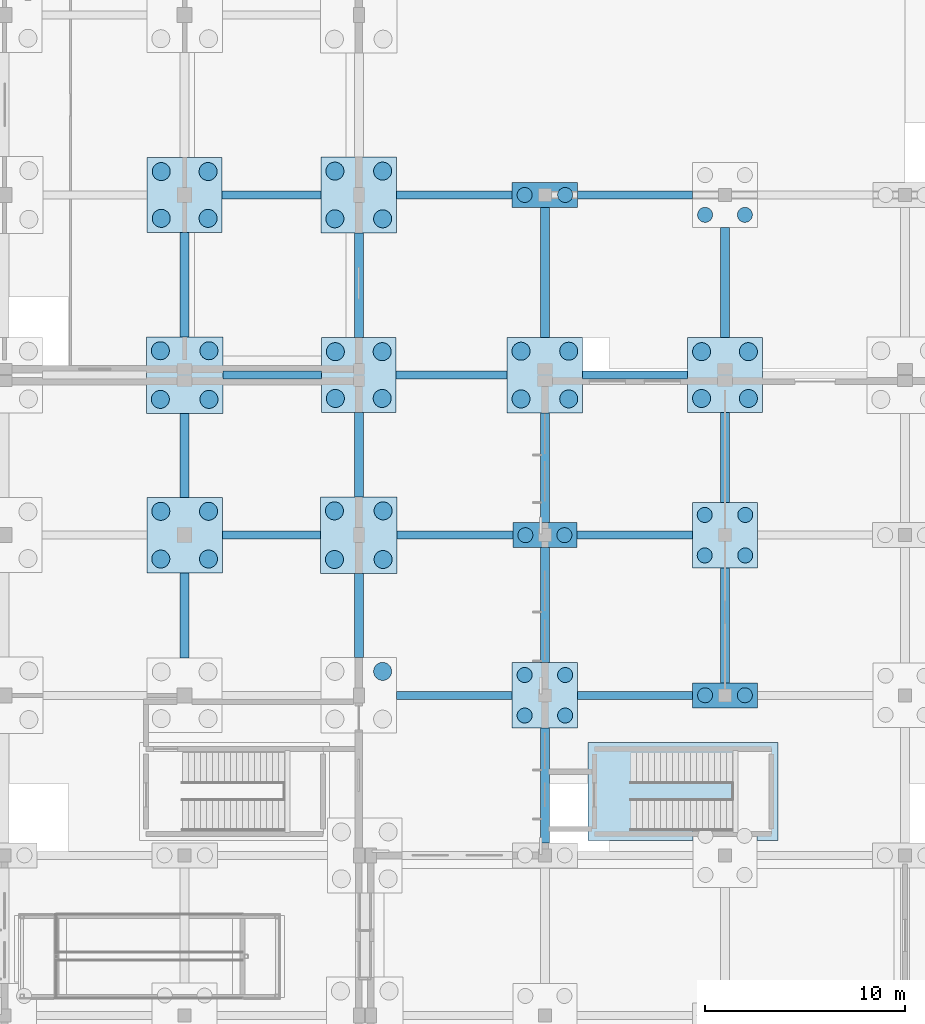
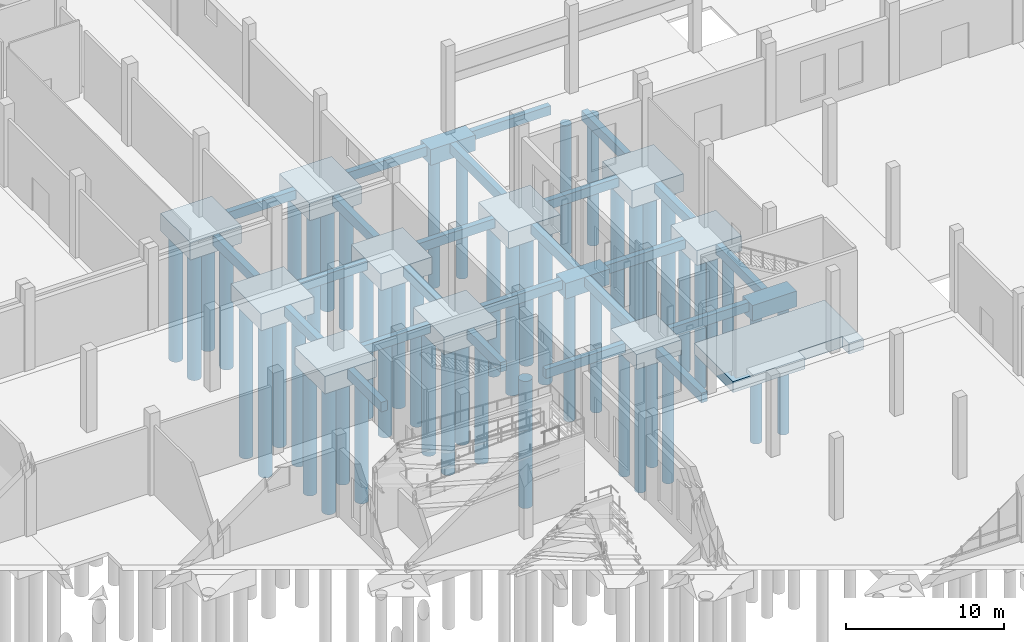
# One storey, part 6 of 99: 49 piles, 38 footings.
"""IFC4 building model written with IfcOpenShell, lengths in metres."""

from ifc_helpers import new_model, si_unit, direction, frame, origin, origin_2d, place, context, subcontext, project, spatial, polyline, rectangle, circle, outline, extrude, material, layer, layer_set, material_profile, profile_set, type_object, element, save


model = new_model("IFC4")

# Units and contexts
model_context = context("Model", 3, precision=1e-05, world=origin(), true_north=direction((0.0, 1.0)))
body_context = subcontext(model_context, "Body", "Model", "MODEL_VIEW")
ifc_project = project(units=[si_unit("LENGTHUNIT", "METRE"), si_unit("AREAUNIT", "SQUARE_METRE"), si_unit("VOLUMEUNIT", "CUBIC_METRE"), si_unit("PLANEANGLEUNIT", "RADIAN"), si_unit("MASSUNIT", "GRAM", prefix="KILO")], contexts=[model_context])

# Site, building, storey
site_placement = place(None, origin())
site = spatial("IfcSite", under=ifc_project, at=site_placement, CompositionType="ELEMENT")
building_placement = place(site_placement, origin())
building = spatial("IfcBuilding", under=site, at=building_placement, Name="Zacnel Wholesale Market", CompositionType="ELEMENT")
storey_placement = place(building_placement, origin())
storey = spatial("IfcBuildingStorey", under=building, at=storey_placement, Name="L01", CompositionType="ELEMENT", Elevation=0.0)

# Footings
ifc_material_1 = material(Name="Concrete C35/45", Category="concrete")
ifc_material_profile_1 = material_profile(ifc_material_1, rectangle(XDim=0.39990234375, YDim=0.699951171875, at=origin_2d()), Name="CT 400x700")
ifc_profile_set_1 = profile_set([ifc_material_profile_1], Name="Concrete C35/45")
footing_type_1 = type_object("IfcFootingType", Name="FTG-CT400X700", PredefinedType="FOOTING_BEAM", material=ifc_profile_set_1)
footing_1_placement = place(storey_placement, frame((73.590087890625, 32.0, -0.85009765625), z_axis=(1.0, 0.0, 0.0), x_axis=(0.0, 1.0, 0.0)))
element("IfcFooting", 1, at=footing_1_placement, inside=storey, type_object=footing_type_1, Name="Ground tie beam CT-X-0325", PredefinedType="FOOTING_BEAM", context=body_context, shape_type="SweptSolid", body=[
    extrude(rectangle(XDim=0.39990234375, YDim=0.699951171875, at=origin_2d()), origin(), (0.0, 0.0, 1.0), 5.77490234375),
])
footing_2_placement = place(storey_placement, frame((82.635009765625, 32.0, -0.85009765625), z_axis=(1.0, 0.0, 0.0), x_axis=(0.0, 1.0, 0.0)))
element("IfcFooting", 2, at=footing_2_placement, inside=storey, type_object=footing_type_1, Name="Ground tie beam CT-X-0326", PredefinedType="FOOTING_BEAM", context=body_context, shape_type="SweptSolid", body=[
    extrude(rectangle(XDim=0.39990234375, YDim=0.699951171875, at=origin_2d()), origin(), (0.0, 0.0, 1.0), 5.744873046875),
])
footing_3_placement = place(storey_placement, frame((64.889892578125, 40.0, -0.85009765625), z_axis=(1.0, 0.0, 0.0), x_axis=(0.0, 1.0, 0.0)))
element("IfcFooting", 3, at=footing_3_placement, inside=storey, type_object=footing_type_1, Name="Ground tie beam CT-X-0345", PredefinedType="FOOTING_BEAM", context=body_context, shape_type="SweptSolid", body=[
    extrude(rectangle(XDim=0.39990234375, YDim=0.699951171875, at=origin_2d()), origin(), (0.0, 0.0, 1.0), 4.89501953125),
])
footing_4_placement = place(storey_placement, frame((73.614990234375, 40.0, -0.85009765625), z_axis=(1.0, 0.0, 0.0), x_axis=(0.0, 1.0, 0.0)))
element("IfcFooting", 4, at=footing_4_placement, inside=storey, type_object=footing_type_1, Name="Ground tie beam CT-X-0346", PredefinedType="FOOTING_BEAM", context=body_context, shape_type="SweptSolid", body=[
    extrude(rectangle(XDim=0.39990234375, YDim=0.699951171875, at=origin_2d()), origin(), (0.0, 0.0, 1.0), 5.784912109375),
])
footing_5_placement = place(storey_placement, frame((82.60009765625, 40.0, -0.85009765625), z_axis=(1.0, 0.0, 0.0), x_axis=(0.0, 1.0, 0.0)))
element("IfcFooting", 5, at=footing_5_placement, inside=storey, type_object=footing_type_1, Name="Ground tie beam CT-X-0347", PredefinedType="FOOTING_BEAM", context=body_context, shape_type="SweptSolid", body=[
    extrude(rectangle(XDim=0.39990234375, YDim=0.699951171875, at=origin_2d()), origin(), (0.0, 0.0, 1.0), 5.764892578125),
])
footing_6_placement = place(storey_placement, frame((64.9150390625, 48.0, -0.85009765625), z_axis=(1.0, 0.0, 0.0), x_axis=(0.0, 1.0, 0.0)))
element("IfcFooting", 6, at=footing_6_placement, inside=storey, type_object=footing_type_1, Name="Ground tie beam CT-X-0368", PredefinedType="FOOTING_BEAM", context=body_context, shape_type="SweptSolid", body=[
    extrude(rectangle(XDim=0.39990234375, YDim=0.699951171875, at=origin_2d()), origin(), (0.0, 0.0, 1.0), 4.9150390625),
])
footing_7_placement = place(storey_placement, frame((73.570068359375, 48.0, -0.85009765625), z_axis=(1.0, 0.0, 0.0), x_axis=(0.0, 1.0, 0.0)))
element("IfcFooting", 7, at=footing_7_placement, inside=storey, type_object=footing_type_1, Name="Ground tie beam CT-X-0369", PredefinedType="FOOTING_BEAM", context=body_context, shape_type="SweptSolid", body=[
    extrude(rectangle(XDim=0.39990234375, YDim=0.699951171875, at=origin_2d()), origin(), (0.0, 0.0, 1.0), 5.5400390625),
])
footing_8_placement = place(storey_placement, frame((82.889892578125, 48.0, -0.85009765625), z_axis=(1.0, 0.0, 0.0), x_axis=(0.0, 1.0, 0.0)))
element("IfcFooting", 8, at=footing_8_placement, inside=storey, type_object=footing_type_1, Name="Ground tie beam CT-X-0370", PredefinedType="FOOTING_BEAM", context=body_context, shape_type="SweptSolid", body=[
    extrude(rectangle(XDim=0.39990234375, YDim=0.699951171875, at=origin_2d()), origin(), (0.0, 0.0, 1.0), 5.239990234375),
])
footing_9_placement = place(storey_placement, frame((64.8701171875, 57.0, -0.85009765625), z_axis=(1.0, 0.0, 0.0), x_axis=(0.0, 1.0, 0.0)))
element("IfcFooting", 9, at=footing_9_placement, inside=storey, type_object=footing_type_1, Name="Ground tie beam CT-X-0388", PredefinedType="FOOTING_BEAM", context=body_context, shape_type="SweptSolid", body=[
    extrude(rectangle(XDim=0.39990234375, YDim=0.699951171875, at=origin_2d()), origin(), (0.0, 0.0, 1.0), 4.93994140625),
])
footing_10_placement = place(storey_placement, frame((73.590087890625, 57.0, -0.85009765625), z_axis=(1.0, 0.0, 0.0), x_axis=(0.0, 1.0, 0.0)))
element("IfcFooting", 10, at=footing_10_placement, inside=storey, type_object=footing_type_1, Name="Ground tie beam CT-X-0389", PredefinedType="FOOTING_BEAM", context=body_context, shape_type="SweptSolid", body=[
    extrude(rectangle(XDim=0.39990234375, YDim=0.699951171875, at=origin_2d()), origin(), (0.0, 0.0, 1.0), 5.77490234375),
])
footing_11_placement = place(storey_placement, frame((82.635009765625, 57.0, -0.85009765625), z_axis=(1.0, 0.0, 0.0), x_axis=(0.0, 1.0, 0.0)))
element("IfcFooting", 11, at=footing_11_placement, inside=storey, type_object=footing_type_1, Name="Ground tie beam CT-X-0390", PredefinedType="FOOTING_BEAM", context=body_context, shape_type="SweptSolid", body=[
    extrude(rectangle(XDim=0.39990234375, YDim=0.699951171875, at=origin_2d()), origin(), (0.0, 0.0, 1.0), 5.744873046875),
])
ifc_material_2 = material(Name="Concrete C35/45", Category="concrete")
ifc_material_profile_2 = material_profile(ifc_material_2, rectangle(XDim=0.449951171875, YDim=0.75, at=origin_2d()), Name="CT 450x750")
ifc_profile_set_2 = profile_set([ifc_material_profile_2], Name="Concrete C35/45")
footing_type_2 = type_object("IfcFootingType", Name="FTG-CT450X750", PredefinedType="FOOTING_BEAM", material=ifc_profile_set_2)
footing_12_placement = place(storey_placement, frame((63.0, 33.8701171875, -0.875), z_axis=(0.0, 1.0, 0.0), x_axis=(-1.0, 0.0, 0.0)))
element("IfcFooting", 12, at=footing_12_placement, inside=storey, type_object=footing_type_2, Name="Ground tie beam CT-Y-0076", PredefinedType="FOOTING_BEAM", context=body_context, shape_type="SweptSolid", body=[
    extrude(rectangle(XDim=0.449951171875, YDim=0.75, at=origin_2d()), origin(), (0.0, 0.0, 1.0), 4.239990234375),
])
footing_13_placement = place(storey_placement, frame((63.0, 41.889892578125, -0.875), z_axis=(0.0, 1.0, 0.0), x_axis=(-1.0, 0.0, 0.0)))
element("IfcFooting", 13, at=footing_13_placement, inside=storey, type_object=footing_type_2, Name="Ground tie beam CT-Y-0077", PredefinedType="FOOTING_BEAM", context=body_context, shape_type="SweptSolid", body=[
    extrude(rectangle(XDim=0.449951171875, YDim=0.75, at=origin_2d()), origin(), (0.0, 0.0, 1.0), 4.195068359375),
])
footing_14_placement = place(storey_placement, frame((63.0, 49.9150390625, -0.875), z_axis=(0.0, 1.0, 0.0), x_axis=(-1.0, 0.0, 0.0)))
element("IfcFooting", 14, at=footing_14_placement, inside=storey, type_object=footing_type_2, Name="Ground tie beam CT-Y-0078", PredefinedType="FOOTING_BEAM", context=body_context, shape_type="SweptSolid", body=[
    extrude(rectangle(XDim=0.449951171875, YDim=0.75, at=origin_2d()), origin(), (0.0, 0.0, 1.0), 5.21484375),
])
footing_15_placement = place(storey_placement, frame((71.699951171875, 33.889892578125, -0.875), z_axis=(0.0, 1.0, 0.0), x_axis=(-1.0, 0.0, 0.0)))
element("IfcFooting", 15, at=footing_15_placement, inside=storey, type_object=footing_type_2, Name="Ground tie beam CT-Y-0086", PredefinedType="FOOTING_BEAM", context=body_context, shape_type="SweptSolid", body=[
    extrude(rectangle(XDim=0.449951171875, YDim=0.75, at=origin_2d()), origin(), (0.0, 0.0, 1.0), 4.195068359375),
])
footing_16_placement = place(storey_placement, frame((71.699951171875, 41.9150390625, -0.875), z_axis=(0.0, 1.0, 0.0), x_axis=(-1.0, 0.0, 0.0)))
element("IfcFooting", 16, at=footing_16_placement, inside=storey, type_object=footing_type_2, Name="Ground tie beam CT-Y-0087", PredefinedType="FOOTING_BEAM", context=body_context, shape_type="SweptSolid", body=[
    extrude(rectangle(XDim=0.449951171875, YDim=0.75, at=origin_2d()), origin(), (0.0, 0.0, 1.0), 4.21484375),
])
footing_17_placement = place(storey_placement, frame((71.699951171875, 49.8701171875, -0.875), z_axis=(0.0, 1.0, 0.0), x_axis=(-1.0, 0.0, 0.0)))
element("IfcFooting", 17, at=footing_17_placement, inside=storey, type_object=footing_type_2, Name="Ground tie beam CT-Y-0088", PredefinedType="FOOTING_BEAM", context=body_context, shape_type="SweptSolid", body=[
    extrude(rectangle(XDim=0.449951171875, YDim=0.75, at=origin_2d()), origin(), (0.0, 0.0, 1.0), 5.239990234375),
])
for number, where, z_axis, x_axis, name in (
    (18, (81.0, 24.625, -0.875), (0.0, 1.0, 0.0), (-1.0, 0.0, 0.0), "Ground tie beam CT-Y-0101"),
    (19, (81.0, 33.635009765625, -0.875), (0.0, 1.0, 0.0), (-1.0, 0.0, 0.0), "Ground tie beam CT-Y-0102"),
):
    element("IfcFooting", number, at=place(storey_placement, frame(where, z_axis=z_axis, x_axis=x_axis)), inside=storey, type_object=footing_type_2, Name=name, PredefinedType="FOOTING_BEAM", context=body_context, shape_type="SweptSolid", body=[
        extrude(rectangle(XDim=0.449951171875, YDim=0.75, at=origin_2d()), origin(), (0.0, 0.0, 1.0), 5.739990234375),
    ])
footing_18_placement = place(storey_placement, frame((81.0, 40.625, -0.875), z_axis=(0.0, 1.0, 0.0), x_axis=(-1.0, 0.0, 0.0)))
element("IfcFooting", 20, at=footing_18_placement, inside=storey, type_object=footing_type_2, Name="Ground tie beam CT-Y-0103", PredefinedType="FOOTING_BEAM", context=body_context, shape_type="SweptSolid", body=[
    extrude(rectangle(XDim=0.449951171875, YDim=0.75, at=origin_2d()), origin(), (0.0, 0.0, 1.0), 5.485107421875),
])
footing_19_placement = place(storey_placement, frame((81.0, 49.889892578125, -0.875), z_axis=(0.0, 1.0, 0.0), x_axis=(-1.0, 0.0, 0.0)))
element("IfcFooting", 21, at=footing_19_placement, inside=storey, type_object=footing_type_2, Name="Ground tie beam CT-Y-0104", PredefinedType="FOOTING_BEAM", context=body_context, shape_type="SweptSolid", body=[
    extrude(rectangle(XDim=0.449951171875, YDim=0.75, at=origin_2d()), origin(), (0.0, 0.0, 1.0), 6.485107421875),
])
footing_20_placement = place(storey_placement, frame((90.0, 32.625, -0.875), z_axis=(0.0, 1.0, 0.0), x_axis=(-1.0, 0.0, 0.0)))
element("IfcFooting", 22, at=footing_20_placement, inside=storey, type_object=footing_type_2, Name="Ground tie beam CT-Y-0110", PredefinedType="FOOTING_BEAM", context=body_context, shape_type="SweptSolid", body=[
    extrude(rectangle(XDim=0.449951171875, YDim=0.75, at=origin_2d()), origin(), (0.0, 0.0, 1.0), 5.739990234375),
])
footing_21_placement = place(storey_placement, frame((90.0, 41.635009765625, -0.875), z_axis=(0.0, 1.0, 0.0), x_axis=(-1.0, 0.0, 0.0)))
element("IfcFooting", 23, at=footing_21_placement, inside=storey, type_object=footing_type_2, Name="Ground tie beam CT-Y-0111", PredefinedType="FOOTING_BEAM", context=body_context, shape_type="SweptSolid", body=[
    extrude(rectangle(XDim=0.449951171875, YDim=0.75, at=origin_2d()), origin(), (0.0, 0.0, 1.0), 4.494873046875),
])
footing_22_placement = place(storey_placement, frame((90.0, 49.8701171875, -0.875), z_axis=(0.0, 1.0, 0.0), x_axis=(-1.0, 0.0, 0.0)))
element("IfcFooting", 24, at=footing_22_placement, inside=storey, type_object=footing_type_2, Name="Ground tie beam CT-Y-0112", PredefinedType="FOOTING_BEAM", context=body_context, shape_type="SweptSolid", body=[
    extrude(rectangle(XDim=0.449951171875, YDim=0.75, at=origin_2d()), origin(), (0.0, 0.0, 1.0), 5.509765625),
])
ifc_material_3 = material(Name="Concrete C35/45", Category="concrete")
ifc_layer_1 = layer(ifc_material_3, 1.199951171875)
ifc_layer_set_1 = layer_set([ifc_layer_1], Name="Concrete C35/45")
footing_type_3 = type_object("IfcFootingType", Name="FTG-PC-3200X1250X1200", PredefinedType="PILE_CAP", material=ifc_layer_set_1)
footing_23_placement = place(storey_placement, frame((81.0, 40.0, -1.7001953125), z_axis=(0.0, 0.0, 1.0), x_axis=(1.0, 0.0, 0.0)))
element("IfcFooting", 25, at=footing_23_placement, inside=storey, type_object=footing_type_3, Name="Pile cap PC-12 (STR-PC-132)", PredefinedType="PILE_CAP", context=body_context, shape_type="SweptSolid", body=[
    extrude(rectangle(XDim=3.199951171875, YDim=1.25, at=origin_2d()), origin(), (0.0, 0.0, 1.0), 1.199951171875),
])
ifc_material_4 = material(Name="Concrete C35/45", Category="concrete")
ifc_layer_2 = layer(ifc_material_4, 1.199951171875)
ifc_layer_set_2 = layer_set([ifc_layer_2], Name="Concrete C35/45")
footing_type_4 = type_object("IfcFootingType", Name="FTG-PC-3240X1250X1200", PredefinedType="PILE_CAP", material=ifc_layer_set_2)
footing_24_placement = place(storey_placement, frame((90.0, 32.0, -1.7001953125), z_axis=(0.0, 0.0, 1.0), x_axis=(1.0, 0.0, 0.0)))
element("IfcFooting", 26, at=footing_24_placement, inside=storey, type_object=footing_type_4, Name="Pile cap PC-10 (STR-PC-142)", PredefinedType="PILE_CAP", context=body_context, shape_type="SweptSolid", body=[
    extrude(rectangle(XDim=3.239990234375, YDim=1.25, at=origin_2d()), origin(), (0.0, 0.0, 1.0), 1.199951171875),
])
ifc_material_5 = material(Name="Concrete C35/45", Category="concrete")
ifc_layer_3 = layer(ifc_material_5, 1.199951171875)
ifc_layer_set_3 = layer_set([ifc_layer_3], Name="Concrete C35/45")
footing_type_5 = type_object("IfcFootingType", Name="FTG-PC-3270X1250X1200", PredefinedType="PILE_CAP", material=ifc_layer_set_3)
footing_25_placement = place(storey_placement, frame((81.0, 57.0, -1.7001953125), z_axis=(0.0, 0.0, 1.0), x_axis=(1.0, 0.0, 0.0)))
element("IfcFooting", 27, at=footing_25_placement, inside=storey, type_object=footing_type_5, Name="Pile cap PC-08 (STR-PC-134)", PredefinedType="PILE_CAP", context=body_context, shape_type="SweptSolid", body=[
    extrude(rectangle(XDim=3.27001953125, YDim=1.25, at=origin_2d()), origin(), (0.0, 0.0, 1.0), 1.199951171875),
])
ifc_material_6 = material(Name="Concrete C35/45", Category="concrete")
ifc_layer_4 = layer(ifc_material_6, 1.14990234375)
ifc_layer_set_4 = layer_set([ifc_layer_4], Name="Concrete C35/45")
footing_type_6 = type_object("IfcFootingType", Name="FTG-PC-3270X3270X1150", PredefinedType="PILE_CAP", material=ifc_layer_set_4)
for number, where, z_axis, x_axis, name in (
    (28, (81.0, 32.0, -1.64990234375), (0.0, 0.0, 1.0), (1.0, 0.0, 0.0), "Pile cap PC-11 (STR-PC-131)"),
    (29, (90.0, 40.0, -1.64990234375), (0.0, 0.0, 1.0), (1.0, 0.0, 0.0), "Pile cap PC-11 (STR-PC-143)"),
):
    element("IfcFooting", number, at=place(storey_placement, frame(where, z_axis=z_axis, x_axis=x_axis)), inside=storey, type_object=footing_type_6, Name=name, PredefinedType="PILE_CAP", context=body_context, shape_type="SweptSolid", body=[
        extrude(rectangle(XDim=3.27001953125, YDim=3.27001953125, at=origin_2d()), origin(), (0.0, 0.0, 1.0), 1.14990234375),
    ])
ifc_material_7 = material(Name="Concrete C35/45", Category="concrete")
ifc_layer_5 = layer(ifc_material_7, 1.300048828125)
ifc_layer_set_5 = layer_set([ifc_layer_5], Name="Concrete C35/45")
footing_type_7 = type_object("IfcFootingType", Name="FTG-PC-3740X3740X1300", PredefinedType="PILE_CAP", material=ifc_layer_set_5)
footing_26_placement = place(storey_placement, frame((71.699951171875, 48.0, -1.7998046875), z_axis=(0.0, 0.0, 1.0), x_axis=(1.0, 0.0, 0.0)))
element("IfcFooting", 30, at=footing_26_placement, inside=storey, type_object=footing_type_7, Name="Pile cap PC-03 (STR-PC-117)", PredefinedType="PILE_CAP", context=body_context, shape_type="SweptSolid", body=[
    extrude(rectangle(XDim=3.739990234375, YDim=3.739990234375, at=origin_2d()), origin(), (0.0, 0.0, 1.0), 1.300048828125),
])
ifc_material_8 = material(Name="Concrete C35/45", Category="concrete")
ifc_layer_6 = layer(ifc_material_8, 1.35009765625)
ifc_layer_set_6 = layer_set([ifc_layer_6], Name="Concrete C35/45")
footing_type_8 = type_object("IfcFootingType", Name="FTG-PC-3740X3740X1350", PredefinedType="PILE_CAP", material=ifc_layer_set_6)
for number, where, z_axis, x_axis, name in (
    (31, (63.0, 57.0, -1.85009765625), (0.0, 0.0, 1.0), (1.0, 0.0, 0.0), "Pile cap PC-06 (STR-PC-102)"),
    (32, (90.0, 48.0, -1.85009765625), (0.0, 0.0, 1.0), (1.0, 0.0, 0.0), "Pile cap PC-06 (STR-PC-144)"),
):
    element("IfcFooting", number, at=place(storey_placement, frame(where, z_axis=z_axis, x_axis=x_axis)), inside=storey, type_object=footing_type_8, Name=name, PredefinedType="PILE_CAP", context=body_context, shape_type="SweptSolid", body=[
        extrude(rectangle(XDim=3.739990234375, YDim=3.739990234375, at=origin_2d()), origin(), (0.0, 0.0, 1.0), 1.35009765625),
    ])
ifc_material_9 = material(Name="Concrete C35/45", Category="concrete")
ifc_layer_7 = layer(ifc_material_9, 1.300048828125)
ifc_layer_set_7 = layer_set([ifc_layer_7], Name="Concrete C35/45")
footing_type_9 = type_object("IfcFootingType", Name="FTG-PC-3780X3780X1300", PredefinedType="PILE_CAP", material=ifc_layer_set_7)
footing_27_placement = place(storey_placement, frame((81.0, 48.0, -1.7998046875), z_axis=(0.0, 0.0, 1.0), x_axis=(1.0, 0.0, 0.0)))
element("IfcFooting", 33, at=footing_27_placement, inside=storey, type_object=footing_type_9, Name="Pile cap PC-01 (STR-PC-133)", PredefinedType="PILE_CAP", context=body_context, shape_type="SweptSolid", body=[
    extrude(rectangle(XDim=3.780029296875, YDim=3.780029296875, at=origin_2d()), origin(), (0.0, 0.0, 1.0), 1.300048828125),
])
ifc_material_10 = material(Name="Concrete C35/45", Category="concrete")
ifc_layer_8 = layer(ifc_material_10, 1.35009765625)
ifc_layer_set_8 = layer_set([ifc_layer_8], Name="Concrete C35/45")
footing_type_10 = type_object("IfcFootingType", Name="FTG-PC-3780X3780X1350", PredefinedType="PILE_CAP", material=ifc_layer_set_8)
for number, where, z_axis, x_axis, name in (
    (34, (63.0, 40.0, -1.85009765625), (0.0, 0.0, 1.0), (1.0, 0.0, 0.0), "Pile cap PC-04 (STR-PC-100)"),
    (35, (71.699951171875, 57.0, -1.85009765625), (0.0, 0.0, 1.0), (1.0, 0.0, 0.0), "Pile cap PC-04 (STR-PC-118)"),
):
    element("IfcFooting", number, at=place(storey_placement, frame(where, z_axis=z_axis, x_axis=x_axis)), inside=storey, type_object=footing_type_10, Name=name, PredefinedType="PILE_CAP", context=body_context, shape_type="SweptSolid", body=[
        extrude(rectangle(XDim=3.780029296875, YDim=3.780029296875, at=origin_2d()), origin(), (0.0, 0.0, 1.0), 1.35009765625),
    ])
ifc_material_11 = material(Name="Concrete C35/45", Category="concrete")
ifc_layer_9 = layer(ifc_material_11, 1.300048828125)
ifc_layer_set_9 = layer_set([ifc_layer_9], Name="Concrete C35/45")
footing_type_11 = type_object("IfcFootingType", Name="FTG-PC-3830X3830X1300", PredefinedType="PILE_CAP", material=ifc_layer_set_9)
footing_28_placement = place(storey_placement, frame((63.0, 48.0, -1.7998046875), z_axis=(0.0, 0.0, 1.0), x_axis=(1.0, 0.0, 0.0)))
element("IfcFooting", 36, at=footing_28_placement, inside=storey, type_object=footing_type_11, Name="Pile cap PC-05 (STR-PC-101)", PredefinedType="PILE_CAP", context=body_context, shape_type="SweptSolid", body=[
    extrude(rectangle(XDim=3.830078125, YDim=3.830078125, at=origin_2d()), origin(), (0.0, 0.0, 1.0), 1.300048828125),
])
ifc_material_12 = material(Name="Concrete C35/45", Category="concrete")
ifc_layer_10 = layer(ifc_material_12, 1.35009765625)
ifc_layer_set_10 = layer_set([ifc_layer_10], Name="Concrete C35/45")
footing_type_12 = type_object("IfcFootingType", Name="FTG-PC-3830X3830X1350", PredefinedType="PILE_CAP", material=ifc_layer_set_10)
footing_29_placement = place(storey_placement, frame((71.699951171875, 40.0, -1.85009765625), z_axis=(0.0, 0.0, 1.0), x_axis=(1.0, 0.0, 0.0)))
element("IfcFooting", 37, at=footing_29_placement, inside=storey, type_object=footing_type_12, Name="Pile cap PC-02 (STR-PC-116)", PredefinedType="PILE_CAP", context=body_context, shape_type="SweptSolid", body=[
    extrude(rectangle(XDim=3.830078125, YDim=3.830078125, at=origin_2d()), origin(), (0.0, 0.0, 1.0), 1.35009765625),
])
ifc_material_13 = material(Name="Concrete C35/45", Category="concrete")
ifc_layer_11 = layer(ifc_material_13, 0.85009765625)
ifc_layer_set_11 = layer_set([ifc_layer_11], Name="Concrete C35/45")
footing_type_13 = type_object("IfcFootingType", Name="FTG-STAIR-MAT-7800X6800", PredefinedType="PAD_FOOTING", material=ifc_layer_set_11)
footing_30_placement = place(storey_placement, frame((0.0, 0.0, -1.35009765625)))
element("IfcFooting", 38, at=footing_30_placement, inside=storey, type_object=footing_type_13, Name="Stair ST-18 mat footing 013", PredefinedType="PAD_FOOTING", context=body_context, shape_type="SweptSolid", body=[
    extrude(outline(polyline([(83.14990234375, 24.75), (83.14990234375, 29.64990234375), (92.64990234375, 29.64990234375), (92.64990234375, 24.75), (91.60205078125, 24.75), (91.60205078125, 25.60009765625), (91.60205078125, 25.60009765625), (91.60205078125, 25.600341796875), (91.601806640625, 25.6005859375), (91.601806640625, 25.600830078125), (91.601806640625, 25.600830078125), (91.601806640625, 25.60107421875), (91.6015625, 25.601318359375), (91.601318359375, 25.601318359375), (91.601318359375, 25.6015625), (91.60107421875, 25.601806640625), (91.600830078125, 25.601806640625), (91.600830078125, 25.601806640625), (91.6005859375, 25.601806640625), (91.600341796875, 25.60205078125), (91.60009765625, 25.60205078125), (91.60009765625, 25.60205078125), (88.39990234375, 25.60205078125), (88.39990234375, 25.60205078125), (88.399658203125, 25.60205078125), (88.3994140625, 25.601806640625), (88.399169921875, 25.601806640625), (88.399169921875, 25.601806640625), (88.39892578125, 25.601806640625), (88.398681640625, 25.6015625), (88.398681640625, 25.601318359375), (88.3984375, 25.601318359375), (88.398193359375, 25.60107421875), (88.398193359375, 25.600830078125), (88.398193359375, 25.600830078125), (88.398193359375, 25.6005859375), (88.39794921875, 25.600341796875), (88.39794921875, 25.60009765625), (88.39794921875, 25.60009765625), (88.39794921875, 24.75), (83.14990234375, 24.75)])), origin(), (0.0, 0.0, 1.0), 0.85009765625),
])

# Piles
ifc_material_14 = material(Name="Concrete C35/45", Category="concrete")
ifc_material_profile_3 = material_profile(ifc_material_14, circle(Radius=0.375, at=origin_2d()), Name="BORED PILE D750")
ifc_profile_set_3 = profile_set([ifc_material_profile_3], Name="Concrete C35/45")
pile_type_1 = type_object("IfcPileType", Name="PILE-BORED-750", PredefinedType="BORED", material=ifc_profile_set_3)
for number, where, z_axis, x_axis, name in (
    (39, (79.987548828125, 30.987548828125, -1.550048828125), (0.0, 0.0, -1.0), (1.0, 0.0, 0.0), "Bored pile STR-PILE-131-01"),
    (40, (79.987548828125, 33.012451171875, -1.550048828125), (0.0, 0.0, -1.0), (1.0, 0.0, 0.0), "Bored pile STR-PILE-131-02"),
    (41, (82.012451171875, 30.987548828125, -1.550048828125), (0.0, 0.0, -1.0), (1.0, 0.0, 0.0), "Bored pile STR-PILE-131-03"),
    (42, (82.012451171875, 33.012451171875, -1.550048828125), (0.0, 0.0, -1.0), (1.0, 0.0, 0.0), "Bored pile STR-PILE-131-04"),
):
    element("IfcPile", number, at=place(storey_placement, frame(where, z_axis=z_axis, x_axis=x_axis)), inside=storey, type_object=pile_type_1, Name=name, PredefinedType="BORED", context=body_context, shape_type="SweptSolid", body=[
        extrude(circle(Radius=0.375, at=origin_2d()), origin(), (0.0, 0.0, 1.0), 9.949951171875),
    ])
for number, where, z_axis, x_axis, name in (
    (43, (80.02490234375, 40.0, -1.60009765625), (0.0, 0.0, -1.0), (1.0, 0.0, 0.0), "Bored pile STR-PILE-132-01"),
    (44, (81.97509765625, 40.0, -1.60009765625), (0.0, 0.0, -1.0), (1.0, 0.0, 0.0), "Bored pile STR-PILE-132-02"),
    (45, (79.987548828125, 57.0, -1.60009765625), (0.0, 0.0, -1.0), (1.0, 0.0, 0.0), "Bored pile STR-PILE-134-01"),
    (46, (82.012451171875, 57.0, -1.60009765625), (0.0, 0.0, -1.0), (1.0, 0.0, 0.0), "Bored pile STR-PILE-134-02"),
    (47, (89.006591796875, 32.0, -1.60009765625), (0.0, 0.0, -1.0), (1.0, 0.0, 0.0), "Bored pile STR-PILE-142-01"),
    (48, (90.993408203125, 32.0, -1.60009765625), (0.0, 0.0, -1.0), (1.0, 0.0, 0.0), "Bored pile STR-PILE-142-02"),
):
    element("IfcPile", number, at=place(storey_placement, frame(where, z_axis=z_axis, x_axis=x_axis)), inside=storey, type_object=pile_type_1, Name=name, PredefinedType="BORED", context=body_context, shape_type="SweptSolid", body=[
        extrude(circle(Radius=0.375, at=origin_2d()), origin(), (0.0, 0.0, 1.0), 9.89990234375),
    ])
for number, where, z_axis, x_axis, name in (
    (49, (88.987548828125, 38.987548828125, -1.550048828125), (0.0, 0.0, -1.0), (1.0, 0.0, 0.0), "Bored pile STR-PILE-143-01"),
    (50, (88.987548828125, 41.012451171875, -1.550048828125), (0.0, 0.0, -1.0), (1.0, 0.0, 0.0), "Bored pile STR-PILE-143-02"),
    (51, (91.012451171875, 38.987548828125, -1.550048828125), (0.0, 0.0, -1.0), (1.0, 0.0, 0.0), "Bored pile STR-PILE-143-03"),
    (52, (91.012451171875, 41.012451171875, -1.550048828125), (0.0, 0.0, -1.0), (1.0, 0.0, 0.0), "Bored pile STR-PILE-143-04"),
    (53, (89.006591796875, 56.006591796875, -1.550048828125), (0.0, 0.0, -1.0), (1.0, 0.0, 0.0), "Bored pile STR-PILE-145-01"),
    (54, (90.993408203125, 56.006591796875, -1.550048828125), (0.0, 0.0, -1.0), (1.0, 0.0, 0.0), "Bored pile STR-PILE-145-03"),
):
    element("IfcPile", number, at=place(storey_placement, frame(where, z_axis=z_axis, x_axis=x_axis)), inside=storey, type_object=pile_type_1, Name=name, PredefinedType="BORED", context=body_context, shape_type="SweptSolid", body=[
        extrude(circle(Radius=0.375, at=origin_2d()), origin(), (0.0, 0.0, 1.0), 9.949951171875),
    ])
ifc_material_15 = material(Name="Concrete C35/45", Category="concrete")
ifc_material_profile_4 = material_profile(ifc_material_15, circle(Radius=0.449951171875, at=origin_2d()), Name="BORED PILE D900")
ifc_profile_set_4 = profile_set([ifc_material_profile_4], Name="Concrete C35/45")
pile_type_2 = type_object("IfcPileType", Name="PILE-BORED-900", PredefinedType="BORED", material=ifc_profile_set_4)
for number, where, z_axis, x_axis, name in (
    (55, (61.8076171875, 38.8076171875, -1.75), (0.0, 0.0, -1.0), (1.0, 0.0, 0.0), "Bored pile STR-PILE-100-01"),
    (56, (61.8076171875, 41.1923828125, -1.75), (0.0, 0.0, -1.0), (1.0, 0.0, 0.0), "Bored pile STR-PILE-100-02"),
    (57, (64.1923828125, 38.8076171875, -1.75), (0.0, 0.0, -1.0), (1.0, 0.0, 0.0), "Bored pile STR-PILE-100-03"),
    (58, (64.1923828125, 41.1923828125, -1.75), (0.0, 0.0, -1.0), (1.0, 0.0, 0.0), "Bored pile STR-PILE-100-04"),
):
    element("IfcPile", number, at=place(storey_placement, frame(where, z_axis=z_axis, x_axis=x_axis)), inside=storey, type_object=pile_type_2, Name=name, PredefinedType="BORED", context=body_context, shape_type="SweptSolid", body=[
        extrude(circle(Radius=0.449951171875, at=origin_2d()), origin(), (0.0, 0.0, 1.0), 9.75),
    ])
for number, where, z_axis, x_axis, name in (
    (59, (61.784912109375, 46.784912109375, -1.699951171875), (0.0, 0.0, -1.0), (1.0, 0.0, 0.0), "Bored pile STR-PILE-101-01"),
    (60, (61.784912109375, 49.215087890625, -1.699951171875), (0.0, 0.0, -1.0), (1.0, 0.0, 0.0), "Bored pile STR-PILE-101-02"),
    (61, (64.215087890625, 46.784912109375, -1.699951171875), (0.0, 0.0, -1.0), (1.0, 0.0, 0.0), "Bored pile STR-PILE-101-03"),
    (62, (64.215087890625, 49.215087890625, -1.699951171875), (0.0, 0.0, -1.0), (1.0, 0.0, 0.0), "Bored pile STR-PILE-101-04"),
):
    element("IfcPile", number, at=place(storey_placement, frame(where, z_axis=z_axis, x_axis=x_axis)), inside=storey, type_object=pile_type_2, Name=name, PredefinedType="BORED", context=body_context, shape_type="SweptSolid", body=[
        extrude(circle(Radius=0.449951171875, at=origin_2d()), origin(), (0.0, 0.0, 1.0), 11.800048828125),
    ])
for number, where, z_axis, x_axis, name in (
    (63, (61.830078125, 55.830078125, -1.75), (0.0, 0.0, -1.0), (1.0, 0.0, 0.0), "Bored pile STR-PILE-102-01"),
    (64, (61.830078125, 58.169921875, -1.75), (0.0, 0.0, -1.0), (1.0, 0.0, 0.0), "Bored pile STR-PILE-102-02"),
    (65, (64.169921875, 55.830078125, -1.75), (0.0, 0.0, -1.0), (1.0, 0.0, 0.0), "Bored pile STR-PILE-102-03"),
    (66, (64.169921875, 58.169921875, -1.75), (0.0, 0.0, -1.0), (1.0, 0.0, 0.0), "Bored pile STR-PILE-102-04"),
):
    element("IfcPile", number, at=place(storey_placement, frame(where, z_axis=z_axis, x_axis=x_axis)), inside=storey, type_object=pile_type_2, Name=name, PredefinedType="BORED", context=body_context, shape_type="SweptSolid", body=[
        extrude(circle(Radius=0.449951171875, at=origin_2d()), origin(), (0.0, 0.0, 1.0), 9.75),
    ])
pile_placement = place(storey_placement, frame((72.892578125, 33.1923828125, -1.699951171875), z_axis=(0.0, 0.0, -1.0), x_axis=(1.0, 0.0, 0.0)))
element("IfcPile", 67, at=pile_placement, inside=storey, type_object=pile_type_2, Name="Bored pile STR-PILE-115-04", PredefinedType="BORED", context=body_context, shape_type="SweptSolid", body=[
    extrude(circle(Radius=0.449951171875, at=origin_2d()), origin(), (0.0, 0.0, 1.0), 9.800048828125),
])
for number, where, z_axis, x_axis, name in (
    (68, (70.485107421875, 38.784912109375, -1.75), (0.0, 0.0, -1.0), (1.0, 0.0, 0.0), "Bored pile STR-PILE-116-01"),
    (69, (70.485107421875, 41.215087890625, -1.75), (0.0, 0.0, -1.0), (1.0, 0.0, 0.0), "Bored pile STR-PILE-116-02"),
    (70, (72.9150390625, 38.784912109375, -1.75), (0.0, 0.0, -1.0), (1.0, 0.0, 0.0), "Bored pile STR-PILE-116-03"),
    (71, (72.9150390625, 41.215087890625, -1.75), (0.0, 0.0, -1.0), (1.0, 0.0, 0.0), "Bored pile STR-PILE-116-04"),
):
    element("IfcPile", number, at=place(storey_placement, frame(where, z_axis=z_axis, x_axis=x_axis)), inside=storey, type_object=pile_type_2, Name=name, PredefinedType="BORED", context=body_context, shape_type="SweptSolid", body=[
        extrude(circle(Radius=0.449951171875, at=origin_2d()), origin(), (0.0, 0.0, 1.0), 9.75),
    ])
for number, where, z_axis, x_axis, name in (
    (72, (70.530029296875, 46.830078125, -1.699951171875), (0.0, 0.0, -1.0), (1.0, 0.0, 0.0), "Bored pile STR-PILE-117-01"),
    (73, (70.530029296875, 49.169921875, -1.699951171875), (0.0, 0.0, -1.0), (1.0, 0.0, 0.0), "Bored pile STR-PILE-117-02"),
    (74, (72.8701171875, 46.830078125, -1.699951171875), (0.0, 0.0, -1.0), (1.0, 0.0, 0.0), "Bored pile STR-PILE-117-03"),
    (75, (72.8701171875, 49.169921875, -1.699951171875), (0.0, 0.0, -1.0), (1.0, 0.0, 0.0), "Bored pile STR-PILE-117-04"),
):
    element("IfcPile", number, at=place(storey_placement, frame(where, z_axis=z_axis, x_axis=x_axis)), inside=storey, type_object=pile_type_2, Name=name, PredefinedType="BORED", context=body_context, shape_type="SweptSolid", body=[
        extrude(circle(Radius=0.449951171875, at=origin_2d()), origin(), (0.0, 0.0, 1.0), 11.800048828125),
    ])
for number, where, z_axis, x_axis, name in (
    (76, (70.507568359375, 55.8076171875, -1.75), (0.0, 0.0, -1.0), (1.0, 0.0, 0.0), "Bored pile STR-PILE-118-01"),
    (77, (70.507568359375, 58.1923828125, -1.75), (0.0, 0.0, -1.0), (1.0, 0.0, 0.0), "Bored pile STR-PILE-118-02"),
    (78, (72.892578125, 55.8076171875, -1.75), (0.0, 0.0, -1.0), (1.0, 0.0, 0.0), "Bored pile STR-PILE-118-03"),
    (79, (72.892578125, 58.1923828125, -1.75), (0.0, 0.0, -1.0), (1.0, 0.0, 0.0), "Bored pile STR-PILE-118-04"),
):
    element("IfcPile", number, at=place(storey_placement, frame(where, z_axis=z_axis, x_axis=x_axis)), inside=storey, type_object=pile_type_2, Name=name, PredefinedType="BORED", context=body_context, shape_type="SweptSolid", body=[
        extrude(circle(Radius=0.449951171875, at=origin_2d()), origin(), (0.0, 0.0, 1.0), 9.75),
    ])
for number, where, z_axis, x_axis, name in (
    (80, (79.8076171875, 46.8076171875, -1.699951171875), (0.0, 0.0, -1.0), (1.0, 0.0, 0.0), "Bored pile STR-PILE-133-01"),
    (81, (79.8076171875, 49.1923828125, -1.699951171875), (0.0, 0.0, -1.0), (1.0, 0.0, 0.0), "Bored pile STR-PILE-133-02"),
    (82, (82.1923828125, 46.8076171875, -1.699951171875), (0.0, 0.0, -1.0), (1.0, 0.0, 0.0), "Bored pile STR-PILE-133-03"),
    (83, (82.1923828125, 49.1923828125, -1.699951171875), (0.0, 0.0, -1.0), (1.0, 0.0, 0.0), "Bored pile STR-PILE-133-04"),
):
    element("IfcPile", number, at=place(storey_placement, frame(where, z_axis=z_axis, x_axis=x_axis)), inside=storey, type_object=pile_type_2, Name=name, PredefinedType="BORED", context=body_context, shape_type="SweptSolid", body=[
        extrude(circle(Radius=0.449951171875, at=origin_2d()), origin(), (0.0, 0.0, 1.0), 11.800048828125),
    ])
for number, where, z_axis, x_axis, name in (
    (84, (88.830078125, 46.830078125, -1.75), (0.0, 0.0, -1.0), (1.0, 0.0, 0.0), "Bored pile STR-PILE-144-01"),
    (85, (88.830078125, 49.169921875, -1.75), (0.0, 0.0, -1.0), (1.0, 0.0, 0.0), "Bored pile STR-PILE-144-02"),
    (86, (91.169921875, 46.830078125, -1.75), (0.0, 0.0, -1.0), (1.0, 0.0, 0.0), "Bored pile STR-PILE-144-03"),
    (87, (91.169921875, 49.169921875, -1.75), (0.0, 0.0, -1.0), (1.0, 0.0, 0.0), "Bored pile STR-PILE-144-04"),
):
    element("IfcPile", number, at=place(storey_placement, frame(where, z_axis=z_axis, x_axis=x_axis)), inside=storey, type_object=pile_type_2, Name=name, PredefinedType="BORED", context=body_context, shape_type="SweptSolid", body=[
        extrude(circle(Radius=0.449951171875, at=origin_2d()), origin(), (0.0, 0.0, 1.0), 11.75),
    ])

save(model, "model.ifc")
